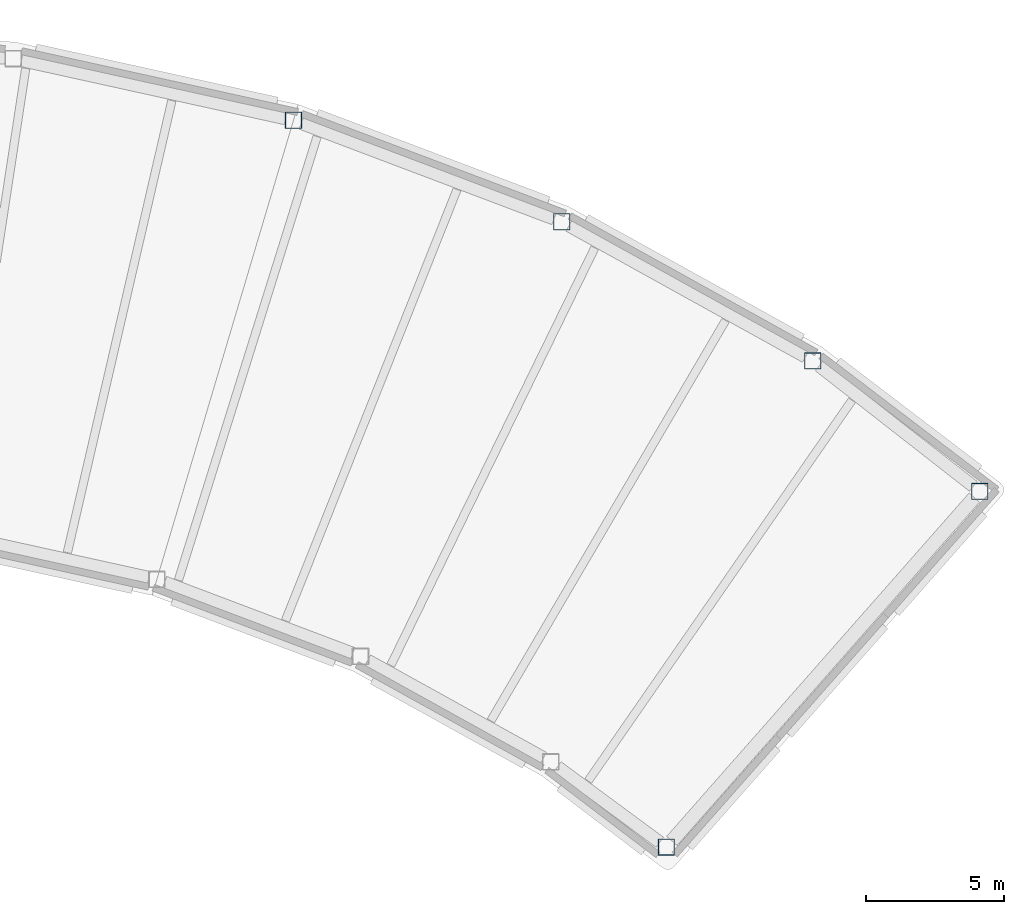
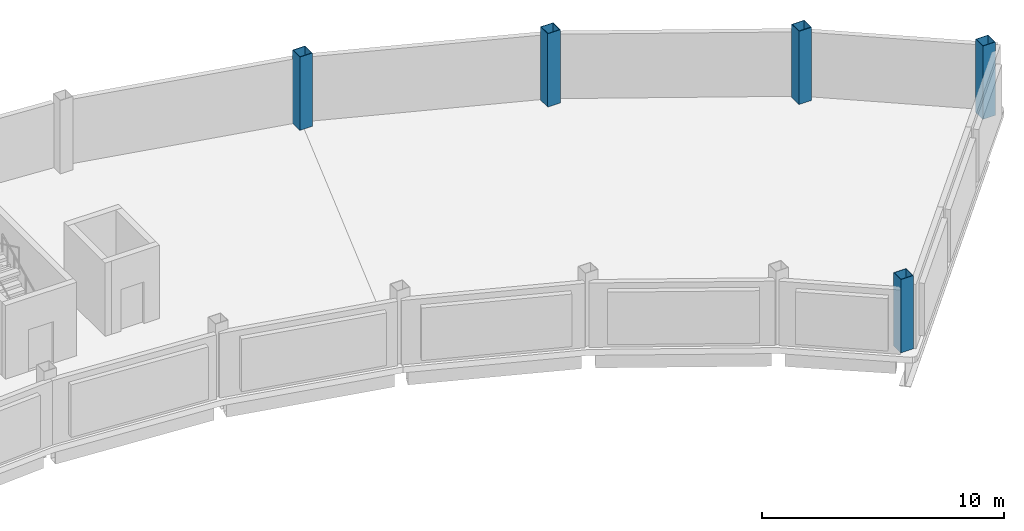
# One storey, part 2 of 5: 5 columns.
"""IFC4 building model written with IfcOpenShell, lengths in metres."""

from ifc_helpers import new_model, si_unit, direction, frame, origin, origin_2d, place, context, subcontext, project, spatial, hollow_rectangle, extrude, material, material_profile, profile_set, type_object, element, save


model = new_model("IFC4")

# Units and contexts
model_context = context("Model", 3, precision=1e-05, world=origin(), true_north=direction((0.0, 1.0)))
body_context = subcontext(model_context, "Body", "Model", "MODEL_VIEW")
ifc_project = project(units=[si_unit("LENGTHUNIT", "METRE"), si_unit("AREAUNIT", "SQUARE_METRE"), si_unit("VOLUMEUNIT", "CUBIC_METRE"), si_unit("PLANEANGLEUNIT", "RADIAN"), si_unit("MASSUNIT", "GRAM", prefix="KILO")], contexts=[model_context])

# Site, building, storey
site_placement = place(None, origin())
site = spatial("IfcSite", under=ifc_project, at=site_placement, CompositionType="ELEMENT")
building_placement = place(site_placement, origin())
building = spatial("IfcBuilding", under=site, at=building_placement, Name="Tuul Gate Civic Tower", CompositionType="ELEMENT")
storey_placement = place(building_placement, frame((0.0, 0.0, 364.10009765625)))
storey = spatial("IfcBuildingStorey", under=building, at=storey_placement, Name="Crown tier 1 upper", CompositionType="ELEMENT", Elevation=364.10009765625)

# Columns
ifc_material = material(Name="Steel S355", Category="steel")
ifc_material_profile = material_profile(ifc_material, hollow_rectangle(XDim=0.60009765625, YDim=0.60009765625, WallThickness=0.02490234375, at=origin_2d()), Name="BOX600x600x25")
ifc_profile_set = profile_set([ifc_material_profile], Name="Steel S355")
column_type = type_object("IfcColumnType", Name="STR-COLUMN-BOX600x600x25", PredefinedType="COLUMN", material=ifc_profile_set)
for number, where, z_axis, x_axis, name in (
    (1, (47.549072265625, -4.60107421875, 0.0), (0.0, 0.0, 1.0), (1.0, 0.0, 0.0), "Column"),
    (2, (41.498046875, 0.1259765625, 0.0), (0.0, 0.0, 1.0), (1.0, 0.0, 0.0), "Column"),
    (3, (32.4130859375, 5.162109375, 0.0), (0.0, 0.0, 1.0), (1.0, 0.0, 0.0), "Column"),
    (4, (22.697021484375, 8.8359375, 0.0), (0.0, 0.0, 1.0), (1.0, 0.0, 0.0), "Column"),
    (5, (36.200927734375, -17.48291015625, 0.0), (0.0, 0.0, 1.0), (1.0, 0.0, 0.0), "Column"),
):
    element("IfcColumn", number, at=place(storey_placement, frame(where, z_axis=z_axis, x_axis=x_axis)), inside=storey, type_object=column_type, Name=name, PredefinedType="COLUMN", context=body_context, shape_type="SweptSolid", body=[
        extrude(hollow_rectangle(XDim=0.60009765625, YDim=0.60009765625, WallThickness=0.02490234375, at=origin_2d()), origin(), (0.0, 0.0, 1.0), 3.699951171875),
    ])

save(model, "model.ifc")
